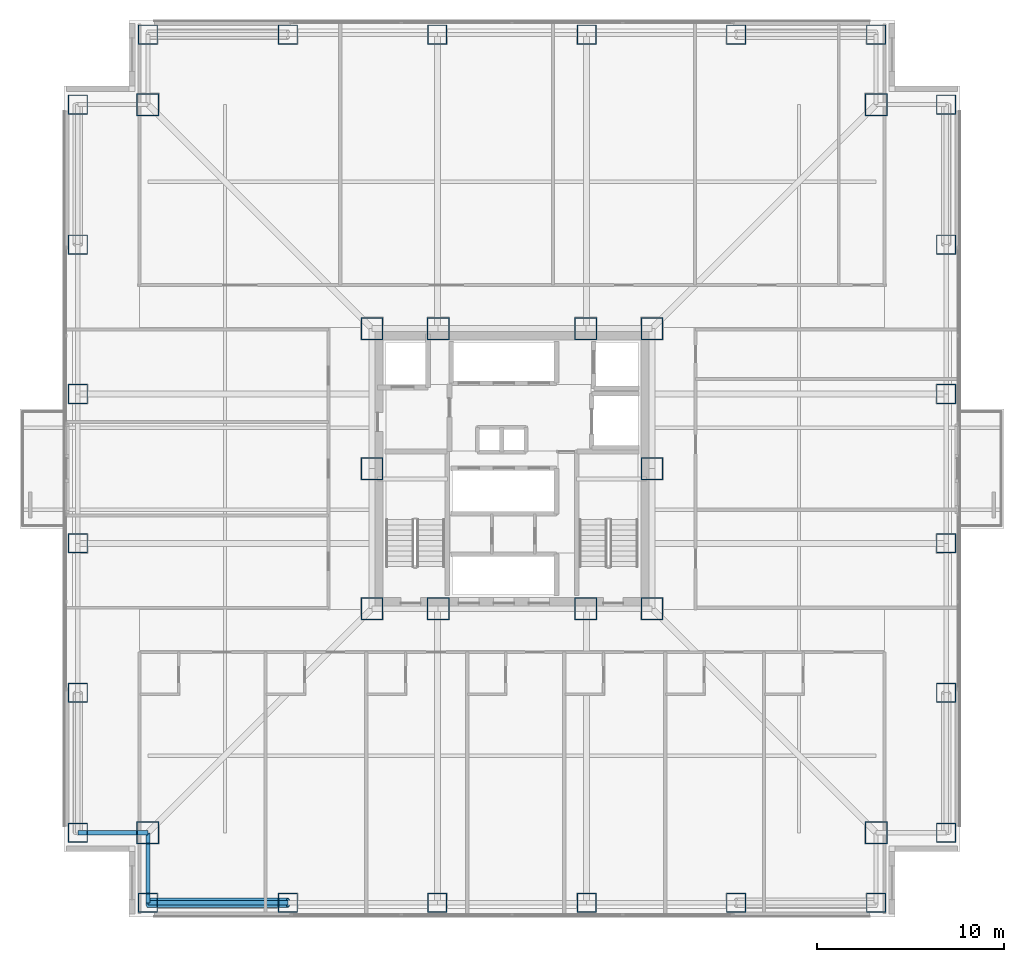
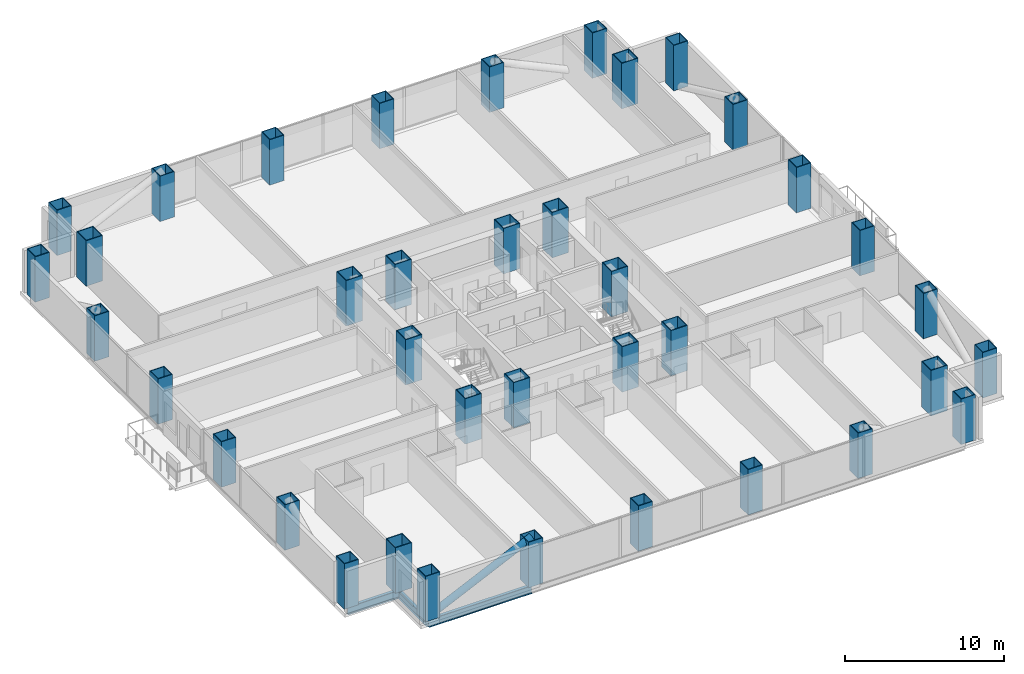
# One storey, part 1 of 20: 38 columns, 3 beams, 1 member.
"""IFC4 building model written with IfcOpenShell, lengths in metres."""

from ifc_helpers import new_model, si_unit, direction, frame, origin, origin_2d, place, context, subcontext, project, spatial, hollow_rectangle, hollow_circle, i_section, extrude, material, material_profile, profile_set, type_object, element, save


model = new_model("IFC4")

# Units and contexts
model_context = context("Model", 3, precision=1e-05, world=origin(), true_north=direction((0.0, 1.0)))
body_context = subcontext(model_context, "Body", "Model", "MODEL_VIEW")
ifc_project = project(units=[si_unit("LENGTHUNIT", "METRE"), si_unit("AREAUNIT", "SQUARE_METRE"), si_unit("VOLUMEUNIT", "CUBIC_METRE"), si_unit("PLANEANGLEUNIT", "RADIAN"), si_unit("MASSUNIT", "GRAM", prefix="KILO")], contexts=[model_context])

# Site, building, storey
site_placement = place(None, origin())
site = spatial("IfcSite", under=ifc_project, at=site_placement, CompositionType="ELEMENT")
building_placement = place(site_placement, origin())
building = spatial("IfcBuilding", under=site, at=building_placement, Name="Trevonay Congress Spire", CompositionType="ELEMENT")
storey_placement = place(building_placement, frame((0.0, 0.0, 76.0)))
storey = spatial("IfcBuildingStorey", under=building, at=storey_placement, Name="L19", CompositionType="ELEMENT", Elevation=76.0)

# Columns
ifc_material = material(Name="Steel ASTM A572 Grade 50", Category="steel")
ifc_material_profile_1 = material_profile(ifc_material, hollow_rectangle(XDim=1.199951171875, YDim=1.199951171875, WallThickness=0.054931640625, at=origin_2d()), Name="BOX 1200x1200x55")
ifc_profile_set_1 = profile_set([ifc_material_profile_1], Name="Steel ASTM A572 Grade 50")
column_type_1 = type_object("IfcColumnType", Name="COL-CORE-BOX1200", PredefinedType="COLUMN", material=ifc_profile_set_1)
for number, where, z_axis, x_axis, name in (
    (1, (-7.5, -7.5, 0.0), (0.0, 0.0, 1.0), (1.0, 0.0, 0.0), "L19 column C02 at CC-SW"),
    (2, (-3.949951171875, -7.5, 0.0), (0.0, 0.0, 1.0), (1.0, 0.0, 0.0), "L19 column C02 at CC-SMW"),
    (3, (3.949951171875, -7.5, 0.0), (0.0, 0.0, 1.0), (1.0, 0.0, 0.0), "L19 column C02 at CC-SME"),
    (4, (7.5, -7.5, 0.0), (0.0, 0.0, 1.0), (1.0, 0.0, 0.0), "L19 column C02 at CC-SE"),
    (5, (7.5, 0.0, 0.0), (0.0, 0.0, 1.0), (1.0, 0.0, 0.0), "L19 column C02 at CC-E"),
    (6, (7.5, 7.5, 0.0), (0.0, 0.0, 1.0), (1.0, 0.0, 0.0), "L19 column C02 at CC-NE"),
    (7, (3.949951171875, 7.5, 0.0), (0.0, 0.0, 1.0), (1.0, 0.0, 0.0), "L19 column C02 at CC-NME"),
    (8, (-3.949951171875, 7.5, 0.0), (0.0, 0.0, 1.0), (1.0, 0.0, 0.0), "L19 column C02 at CC-NMW"),
    (9, (-7.5, 7.5, 0.0), (0.0, 0.0, 1.0), (1.0, 0.0, 0.0), "L19 column C02 at CC-NW"),
    (10, (-7.5, 0.0, 0.0), (0.0, 0.0, 1.0), (1.0, 0.0, 0.0), "L19 column C02 at CC-W"),
):
    element("IfcColumn", number, at=place(storey_placement, frame(where, z_axis=z_axis, x_axis=x_axis)), inside=storey, type_object=column_type_1, Name=name, PredefinedType="COLUMN", context=body_context, shape_type="SweptSolid", body=[
        extrude(hollow_rectangle(XDim=1.199951171875, YDim=1.199951171875, WallThickness=0.054931640625, at=origin_2d()), origin(), (0.0, 0.0, 1.0), 3.5),
    ])
ifc_material_profile_2 = material_profile(ifc_material, hollow_rectangle(XDim=1.199951171875, YDim=1.199951171875, WallThickness=0.054931640625, at=origin_2d()), Name="BOX 1200x1200x55")
ifc_profile_set_2 = profile_set([ifc_material_profile_2], Name="Steel ASTM A572 Grade 50")
column_type_2 = type_object("IfcColumnType", Name="COL-NOTCH-BOX1200", PredefinedType="COLUMN", material=ifc_profile_set_2)
for number, where, z_axis, x_axis, name in (
    (11, (-19.5, -19.5, 0.0), (0.0, 0.0, 1.0), (1.0, 0.0, 0.0), "L19 column C19 at NC-SW"),
    (12, (19.5, -19.5, 0.0), (0.0, 0.0, 1.0), (1.0, 0.0, 0.0), "L19 column C19 at NC-SE"),
    (13, (19.5, 19.5, 0.0), (0.0, 0.0, 1.0), (1.0, 0.0, 0.0), "L19 column C19 at NC-NE"),
    (14, (-19.5, 19.5, 0.0), (0.0, 0.0, 1.0), (1.0, 0.0, 0.0), "L19 column C19 at NC-NW"),
):
    element("IfcColumn", number, at=place(storey_placement, frame(where, z_axis=z_axis, x_axis=x_axis)), inside=storey, type_object=column_type_2, Name=name, PredefinedType="COLUMN", context=body_context, shape_type="SweptSolid", body=[
        extrude(hollow_rectangle(XDim=1.199951171875, YDim=1.199951171875, WallThickness=0.054931640625, at=origin_2d()), origin(), (0.0, 0.0, 1.0), 3.5),
    ])
ifc_material_profile_3 = material_profile(ifc_material, hollow_rectangle(XDim=1.050048828125, YDim=1.050048828125, WallThickness=0.050048828125, at=origin_2d()), Name="BOX 1050x1050x50")
ifc_profile_set_3 = profile_set([ifc_material_profile_3], Name="Steel ASTM A572 Grade 50")
column_type_3 = type_object("IfcColumnType", Name="COL-TUBE-BOX1050", PredefinedType="COLUMN", material=ifc_profile_set_3)
for number, where, z_axis, x_axis, name in (
    (15, (-19.5, -23.25, 0.0), (0.0, 0.0, 1.0), (1.0, 0.0, 0.0), "L19 column C14 at TS-1"),
    (16, (-19.5, 23.25, 0.0), (0.0, 0.0, 1.0), (1.0, 0.0, 0.0), "L19 column C14 at TN-1"),
    (17, (-23.25, -19.5, 0.0), (0.0, 0.0, 1.0), (1.0, 0.0, 0.0), "L19 column C14 at TW-1"),
    (18, (23.25, -19.5, 0.0), (0.0, 0.0, 1.0), (1.0, 0.0, 0.0), "L19 column C14 at TE-1"),
    (19, (-12.0, -23.25, 0.0), (0.0, 0.0, 1.0), (1.0, 0.0, 0.0), "L19 column C14 at TS-2"),
    (20, (-12.0, 23.25, 0.0), (0.0, 0.0, 1.0), (1.0, 0.0, 0.0), "L19 column C14 at TN-2"),
    (21, (-23.25, -12.0, 0.0), (0.0, 0.0, 1.0), (1.0, 0.0, 0.0), "L19 column C14 at TW-2"),
    (22, (23.25, -12.0, 0.0), (0.0, 0.0, 1.0), (1.0, 0.0, 0.0), "L19 column C14 at TE-2"),
    (23, (-4.0, -23.25, 0.0), (0.0, 0.0, 1.0), (1.0, 0.0, 0.0), "L19 column C14 at TS-3"),
    (24, (-4.0, 23.25, 0.0), (0.0, 0.0, 1.0), (1.0, 0.0, 0.0), "L19 column C14 at TN-3"),
    (25, (-23.25, -4.0, 0.0), (0.0, 0.0, 1.0), (1.0, 0.0, 0.0), "L19 column C14 at TW-3"),
    (26, (23.25, -4.0, 0.0), (0.0, 0.0, 1.0), (1.0, 0.0, 0.0), "L19 column C14 at TE-3"),
    (27, (4.0, -23.25, 0.0), (0.0, 0.0, 1.0), (1.0, 0.0, 0.0), "L19 column C14 at TS-4"),
    (28, (4.0, 23.25, 0.0), (0.0, 0.0, 1.0), (1.0, 0.0, 0.0), "L19 column C14 at TN-4"),
    (29, (-23.25, 4.0, 0.0), (0.0, 0.0, 1.0), (1.0, 0.0, 0.0), "L19 column C14 at TW-4"),
    (30, (23.25, 4.0, 0.0), (0.0, 0.0, 1.0), (1.0, 0.0, 0.0), "L19 column C14 at TE-4"),
    (31, (12.0, -23.25, 0.0), (0.0, 0.0, 1.0), (1.0, 0.0, 0.0), "L19 column C14 at TS-5"),
    (32, (12.0, 23.25, 0.0), (0.0, 0.0, 1.0), (1.0, 0.0, 0.0), "L19 column C14 at TN-5"),
    (33, (-23.25, 12.0, 0.0), (0.0, 0.0, 1.0), (1.0, 0.0, 0.0), "L19 column C14 at TW-5"),
    (34, (23.25, 12.0, 0.0), (0.0, 0.0, 1.0), (1.0, 0.0, 0.0), "L19 column C14 at TE-5"),
    (35, (19.5, -23.25, 0.0), (0.0, 0.0, 1.0), (1.0, 0.0, 0.0), "L19 column C14 at TS-6"),
    (36, (19.5, 23.25, 0.0), (0.0, 0.0, 1.0), (1.0, 0.0, 0.0), "L19 column C14 at TN-6"),
    (37, (-23.25, 19.5, 0.0), (0.0, 0.0, 1.0), (1.0, 0.0, 0.0), "L19 column C14 at TW-6"),
    (38, (23.25, 19.5, 0.0), (0.0, 0.0, 1.0), (1.0, 0.0, 0.0), "L19 column C14 at TE-6"),
):
    element("IfcColumn", number, at=place(storey_placement, frame(where, z_axis=z_axis, x_axis=x_axis)), inside=storey, type_object=column_type_3, Name=name, PredefinedType="COLUMN", context=body_context, shape_type="SweptSolid", body=[
        extrude(hollow_rectangle(XDim=1.050048828125, YDim=1.050048828125, WallThickness=0.050048828125, at=origin_2d()), origin(), (0.0, 0.0, 1.0), 3.5),
    ])

# Beams
ifc_material_profile_4 = material_profile(ifc_material, i_section(OverallWidth=0.22998046875, OverallDepth=0.616943359375, WebThickness=0.01318359375, FlangeThickness=0.022216796875, FilletRadius=0.01611328125, at=origin_2d()), Name="W610x140")
ifc_profile_set_4 = profile_set([ifc_material_profile_4], Name="Steel ASTM A572 Grade 50")
beam_type = type_object("IfcBeamType", Name="BM-RING-W610X140", PredefinedType="BEAM", material=ifc_profile_set_4)
beam_placement = place(storey_placement, frame((-19.5, -23.25, -0.55859375), z_axis=(1.0, 0.0, 0.0), x_axis=(0.0, 1.0, 0.0)))
element("IfcBeam", 39, at=beam_placement, inside=storey, type_object=beam_type, Name="L19 structural beam BM-L19-PS1", PredefinedType="BEAM", context=body_context, shape_type="SweptSolid", body=[
    extrude(i_section(OverallWidth=0.22998046875, OverallDepth=0.616943359375, WebThickness=0.01318359375, FlangeThickness=0.022216796875, FilletRadius=0.01611328125, at=origin_2d()), origin(), (0.0, 0.0, 1.0), 7.5),
])
for number, where, z_axis, x_axis, name in (
    (40, (-19.5, -23.25, -0.55859375), (0.0, 1.0, 0.0), (-1.0, 0.0, 0.0), "L19 structural beam BM-L19-N1SW"),
    (41, (-23.25, -19.5, -0.55859375), (1.0, 0.0, 0.0), (0.0, 1.0, 0.0), "L19 structural beam BM-L19-N2SW"),
):
    element("IfcBeam", number, at=place(storey_placement, frame(where, z_axis=z_axis, x_axis=x_axis)), inside=storey, type_object=beam_type, Name=name, PredefinedType="BEAM", context=body_context, shape_type="SweptSolid", body=[
        extrude(i_section(OverallWidth=0.22998046875, OverallDepth=0.616943359375, WebThickness=0.01318359375, FlangeThickness=0.022216796875, FilletRadius=0.01611328125, at=origin_2d()), origin(), (0.0, 0.0, 1.0), 3.75),
    ])

# Member
ifc_material_profile_5 = material_profile(ifc_material, hollow_circle(Radius=0.25390625, WallThickness=0.02490234375, at=origin_2d()), Name="CHS 508x25")
ifc_profile_set_5 = profile_set([ifc_material_profile_5], Name="Steel ASTM A572 Grade 50")
member_type = type_object("IfcMemberType", Name="MBR-TUBE-CHS508", PredefinedType="BRACE", material=ifc_profile_set_5)
member_placement = place(storey_placement, frame((-19.5, -23.25, -0.050048828125), z_axis=(0.906183139995, 0.0, 0.422885465331), x_axis=(0.0, 1.0, 0.0)))
element("IfcMember", 42, at=member_placement, inside=storey, type_object=member_type, Name="L19 perimeter braced-tube diagonal S0", PredefinedType="BRACE", context=body_context, shape_type="SweptSolid", body=[
    extrude(hollow_circle(Radius=0.25390625, WallThickness=0.02490234375, at=origin_2d()), origin(), (0.0, 0.0, 1.0), 8.2763671875),
])

save(model, "model.ifc")
